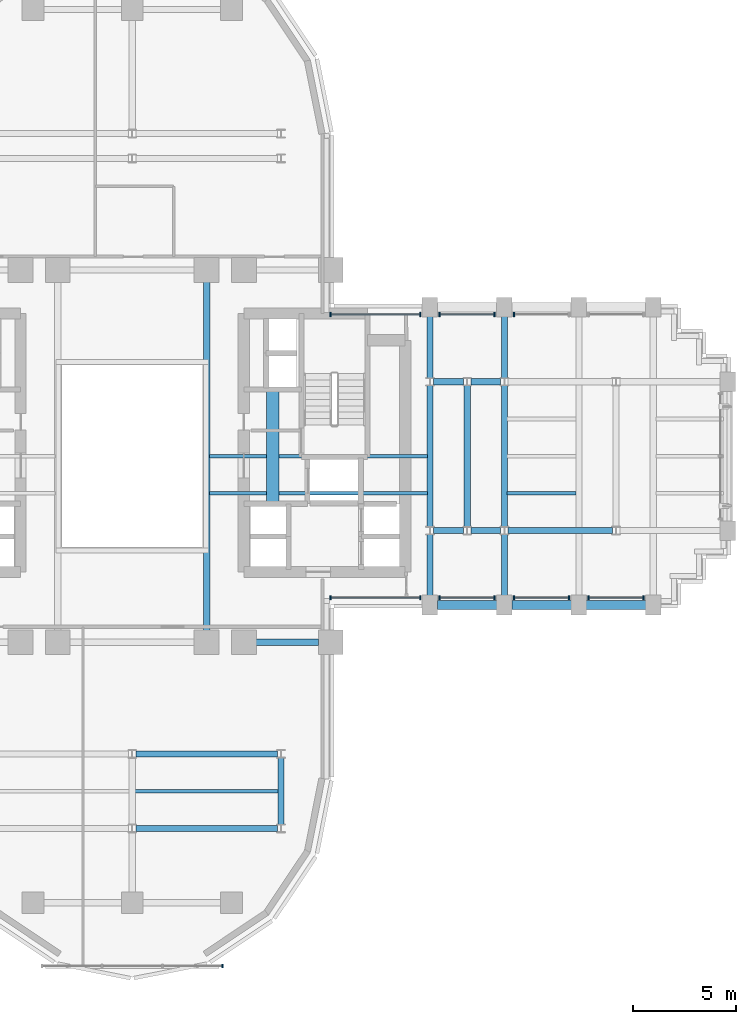
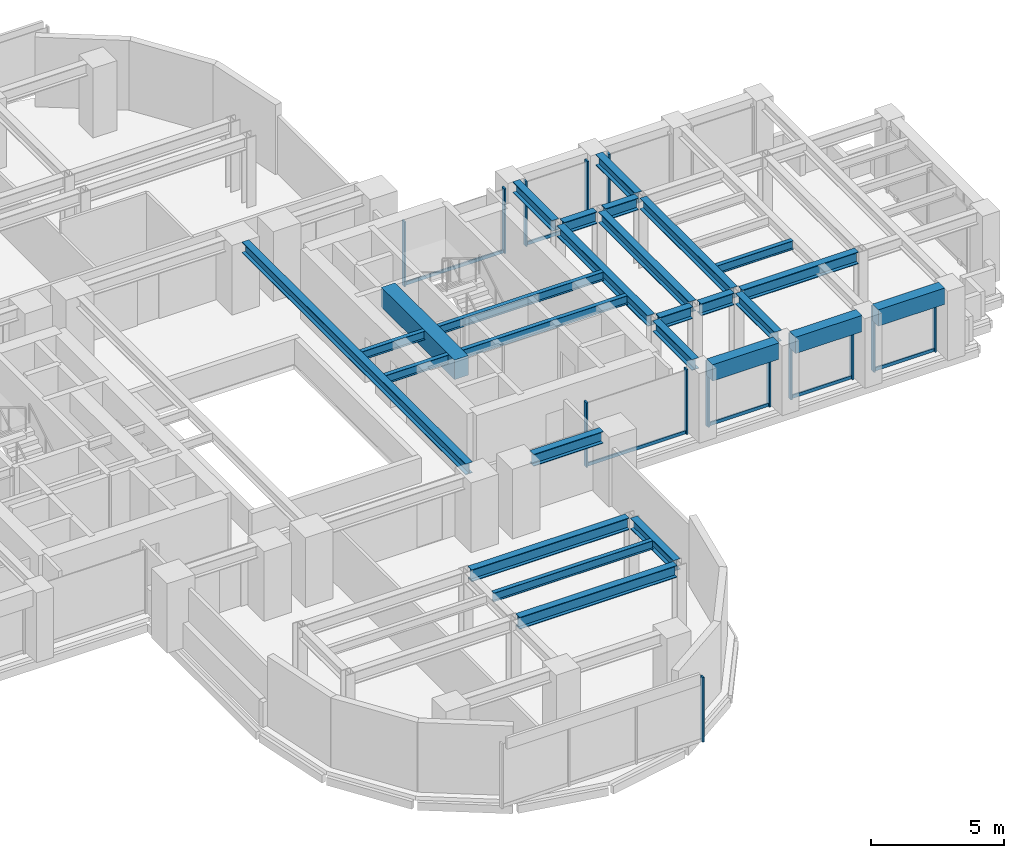
# One storey, part 5 of 16: 25 beams, 20 members, 8 elements without a shape of their own.
"""IFC4 building model written with IfcOpenShell, lengths in metres."""

from ifc_helpers import new_model, si_unit, direction, frame, origin, origin_2d, place, context, subcontext, project, spatial, rectangle, i_section, extrude, source, transform, mapped, material, material_profile, profile_set, type_object, element, aggregate, save


model = new_model("IFC4")

# Units and contexts
model_context = context("Model", 3, precision=1e-05, world=origin(), true_north=direction((0.0, 1.0)))
body_context = subcontext(model_context, "Body", "Model", "MODEL_VIEW")
ifc_project = project(units=[si_unit("LENGTHUNIT", "METRE"), si_unit("AREAUNIT", "SQUARE_METRE"), si_unit("VOLUMEUNIT", "CUBIC_METRE"), si_unit("PLANEANGLEUNIT", "RADIAN"), si_unit("MASSUNIT", "GRAM", prefix="KILO")], contexts=[model_context])

# Site, building, storey
site_placement = place(None, origin())
site = spatial("IfcSite", under=ifc_project, at=site_placement, CompositionType="ELEMENT")
building_placement = place(site_placement, origin())
building = spatial("IfcBuilding", under=site, at=building_placement, Name="Keilestroom Media Tower", CompositionType="ELEMENT")
storey_placement = place(building_placement, frame((0.0, 0.0, 37.39990234375)))
storey = spatial("IfcBuildingStorey", under=building, at=storey_placement, Name="L08", CompositionType="ELEMENT", Elevation=37.39990234375)

# Beams
ifc_material_1 = material(Name="Concrete C70/85", Category="concrete")
ifc_material_profile_1 = material_profile(ifc_material_1, rectangle(XDim=0.60009765625, YDim=0.89990234375, at=origin_2d()), Name="RC 600x900")
ifc_profile_set_1 = profile_set([ifc_material_profile_1], Name="Concrete C70/85")
beam_type_1 = type_object("IfcBeamType", Name="Core-Coupling-Lintel-Beam-RC-600x900", PredefinedType="LINTEL", material=ifc_profile_set_1)
shared_shape_1 = source(origin(), body_context, "Body", "SweptSolid", [
    extrude(rectangle(XDim=0.60009765625, YDim=0.89990234375, at=origin_2d()), origin(), (0.0, 0.0, 1.0), 5.52001953125),
])
beam_1_placement = place(storey_placement, frame((6.800048828125, -2.300048828125, 2.75), z_axis=(0.0, 1.0, 0.0), x_axis=(-1.0, 0.0, 0.0)))
element("IfcBeam", 1, at=beam_1_placement, inside=storey, type_object=beam_type_1, Name="L08 Beam CLB-1 CLB-L08-E", PredefinedType="LINTEL", context=body_context, shape_type="MappedRepresentation", body=[
    mapped(shared_shape_1, transform((0.0, 0.0, 0.0), x_axis=(1.0, 0.0, 0.0), y_axis=(0.0, 1.0, 0.0), z_axis=(0.0, 0.0, 1.0), scale=1.0)),
])
ifc_material_2 = material(Name="Steel S355", Category="steel")
ifc_material_profile_2 = material_profile(ifc_material_2, i_section(OverallWidth=0.300048828125, OverallDepth=0.550048828125, WebThickness=0.012939453125, FlangeThickness=0.029052734375, at=origin_2d()), Name="HEB 550")
ifc_profile_set_2 = profile_set([ifc_material_profile_2], Name="Steel S355")
beam_type_2 = type_object("IfcBeamType", Name="Primary-Structural-Girder-HEB-550", PredefinedType="BEAM", material=ifc_profile_set_2)
shared_shape_2 = source(origin(), body_context, "Body", "SweptSolid", [
    extrude(i_section(OverallWidth=0.300048828125, OverallDepth=0.550048828125, WebThickness=0.012939453125, FlangeThickness=0.029052734375, at=origin_2d()), origin(), (0.0, 0.0, 1.0), 6.836181640625),
])
for number, where, z_axis, x_axis, name in (
    (2, (0.181884765625, -18.0, 2.925048828125), (1.0, 0.0, 0.0), (0.0, 1.0, 0.0), "L08 Beam BG-5 BM-L08-EW-004"),
    (3, (0.181884765625, -14.39990234375, 2.925048828125), (1.0, 0.0, 0.0), (0.0, 1.0, 0.0), "L08 Beam BG-5 BM-L08-EW-006"),
):
    element("IfcBeam", number, at=place(storey_placement, frame(where, z_axis=z_axis, x_axis=x_axis)), inside=storey, type_object=beam_type_2, Name=name, PredefinedType="BEAM", context=body_context, shape_type="MappedRepresentation", body=[
        mapped(shared_shape_2, transform((0.0, 0.0, 0.0), x_axis=(1.0, 0.0, 0.0), y_axis=(0.0, 1.0, 0.0), z_axis=(0.0, 0.0, 1.0), scale=1.0)),
    ])
shared_shape_3 = source(origin(), body_context, "Body", "SweptSolid", [
    extrude(i_section(OverallWidth=0.300048828125, OverallDepth=0.550048828125, WebThickness=0.012939453125, FlangeThickness=0.029052734375, at=origin_2d()), origin(), (0.0, 0.0, 1.0), 3.0400390625),
])
beam_2_placement = place(storey_placement, frame((5.97998046875, -9.0, 2.925048828125), z_axis=(1.0, 0.0, 0.0), x_axis=(0.0, 1.0, 0.0)))
element("IfcBeam", 4, at=beam_2_placement, inside=storey, type_object=beam_type_2, Name="L08 Beam BG-5 BM-L08-EW-011", PredefinedType="BEAM", context=body_context, shape_type="MappedRepresentation", body=[
    mapped(shared_shape_3, transform((0.0, 0.0, 0.0), x_axis=(1.0, 0.0, 0.0), y_axis=(0.0, 1.0, 0.0), z_axis=(0.0, 0.0, 1.0), scale=1.0)),
])
ifc_material_3 = material(Name="Precast concrete C40/50", Category="concrete")
ifc_material_profile_3 = material_profile(ifc_material_3, rectangle(XDim=0.449951171875, YDim=0.75, at=origin_2d()), Name="PC 450x750")
ifc_profile_set_3 = profile_set([ifc_material_profile_3], Name="Precast concrete C40/50")
beam_type_3 = type_object("IfcBeamType", Name="Perimeter-Spandrel-Beam-PC-450x750", PredefinedType="SPANDREL", material=ifc_profile_set_3)
shared_shape_4 = source(origin(), body_context, "Body", "SweptSolid", [
    extrude(rectangle(XDim=0.449951171875, YDim=0.75, at=origin_2d()), origin(), (0.0, 0.0, 1.0), 2.889892578125),
])
beam_3_placement = place(storey_placement, frame((21.955078125, -7.199951171875, 2.8251953125), z_axis=(1.0, 0.0, 0.0), x_axis=(0.0, 1.0, 0.0)))
element("IfcBeam", 5, at=beam_3_placement, inside=storey, type_object=beam_type_3, Name="L08 Beam SPB-1 BM-L08-EW-017", PredefinedType="SPANDREL", context=body_context, shape_type="MappedRepresentation", body=[
    mapped(shared_shape_4, transform((0.0, 0.0, 0.0), x_axis=(1.0, 0.0, 0.0), y_axis=(0.0, 1.0, 0.0), z_axis=(0.0, 0.0, 1.0), scale=1.0)),
])
shared_shape_5 = source(origin(), body_context, "Body", "SweptSolid", [
    extrude(rectangle(XDim=0.449951171875, YDim=0.75, at=origin_2d()), origin(), (0.0, 0.0, 1.0), 2.89013671875),
])
for number, where, z_axis, x_axis, name in (
    (6, (14.7548828125, -7.199951171875, 2.8251953125), (1.0, 0.0, 0.0), (0.0, 1.0, 0.0), "L08 Beam SPB-1 BM-L08-EW-015"),
    (7, (18.35498046875, -7.199951171875, 2.8251953125), (1.0, 0.0, 0.0), (0.0, 1.0, 0.0), "L08 Beam SPB-1 BM-L08-EW-016"),
):
    element("IfcBeam", number, at=place(storey_placement, frame(where, z_axis=z_axis, x_axis=x_axis)), inside=storey, type_object=beam_type_3, Name=name, PredefinedType="SPANDREL", context=body_context, shape_type="MappedRepresentation", body=[
        mapped(shared_shape_5, transform((0.0, 0.0, 0.0), x_axis=(1.0, 0.0, 0.0), y_axis=(0.0, 1.0, 0.0), z_axis=(0.0, 0.0, 1.0), scale=1.0)),
    ])
shared_shape_6 = source(origin(), body_context, "Body", "SweptSolid", [
    extrude(i_section(OverallWidth=0.300048828125, OverallDepth=0.550048828125, WebThickness=0.012939453125, FlangeThickness=0.029052734375, at=origin_2d()), origin(), (0.0, 0.0, 1.0), 5.0361328125),
])
beam_4_placement = place(storey_placement, frame((18.181884765625, -3.60009765625, 2.925048828125), z_axis=(1.0, 0.0, 0.0), x_axis=(0.0, 1.0, 0.0)))
element("IfcBeam", 8, at=beam_4_placement, inside=storey, type_object=beam_type_2, Name="L08 Beam BG-5 BM-L08-EW-024", PredefinedType="BEAM", context=body_context, shape_type="MappedRepresentation", body=[
    mapped(shared_shape_6, transform((0.0, 0.0, 0.0), x_axis=(1.0, 0.0, 0.0), y_axis=(0.0, 1.0, 0.0), z_axis=(0.0, 0.0, 1.0), scale=1.0)),
])
shared_shape_7 = source(origin(), body_context, "Body", "SweptSolid", [
    extrude(i_section(OverallWidth=0.300048828125, OverallDepth=0.550048828125, WebThickness=0.012939453125, FlangeThickness=0.029052734375, at=origin_2d()), origin(), (0.0, 0.0, 1.0), 1.43603515625),
])
for number, where, z_axis, x_axis, name in (
    (9, (14.58203125, -3.60009765625, 2.925048828125), (1.0, 0.0, 0.0), (0.0, 1.0, 0.0), "L08 Beam BG-5 BM-L08-EW-022"),
    (10, (16.382080078125, -3.60009765625, 2.925048828125), (1.0, 0.0, 0.0), (0.0, 1.0, 0.0), "L08 Beam BG-5 BM-L08-EW-023"),
    (11, (14.58203125, 3.60009765625, 2.925048828125), (1.0, 0.0, 0.0), (0.0, 1.0, 0.0), "L08 Beam BG-5 BM-L08-EW-030"),
    (12, (16.382080078125, 3.60009765625, 2.925048828125), (1.0, 0.0, 0.0), (0.0, 1.0, 0.0), "L08 Beam BG-5 BM-L08-EW-031"),
):
    element("IfcBeam", number, at=place(storey_placement, frame(where, z_axis=z_axis, x_axis=x_axis)), inside=storey, type_object=beam_type_2, Name=name, PredefinedType="BEAM", context=body_context, shape_type="MappedRepresentation", body=[
        mapped(shared_shape_7, transform((0.0, 0.0, 0.0), x_axis=(1.0, 0.0, 0.0), y_axis=(0.0, 1.0, 0.0), z_axis=(0.0, 0.0, 1.0), scale=1.0)),
    ])
ifc_material_profile_4 = material_profile(ifc_material_2, i_section(OverallWidth=0.300048828125, OverallDepth=0.5, WebThickness=0.012451171875, FlangeThickness=0.028076171875, at=origin_2d()), Name="HEB 500")
ifc_profile_set_4 = profile_set([ifc_material_profile_4], Name="Steel S355")
beam_type_4 = type_object("IfcBeamType", Name="Primary-Structural-Girder-HEB-500", PredefinedType="BEAM", material=ifc_profile_set_4)
shared_shape_8 = source(origin(), body_context, "Body", "SweptSolid", [
    extrude(i_section(OverallWidth=0.300048828125, OverallDepth=0.5, WebThickness=0.012451171875, FlangeThickness=0.028076171875, at=origin_2d()), origin(), (0.0, 0.0, 1.0), 6.8330078125),
])
for number, where, z_axis, x_axis, name in (
    (13, (14.39990234375, -3.41650390625, 2.9501953125), (0.0, 1.0, 0.0), (-1.0, 0.0, 0.0), "L08 Beam BG-6 BM-L08-NS-077"),
    (14, (16.199951171875, -3.41650390625, 2.9501953125), (0.0, 1.0, 0.0), (-1.0, 0.0, 0.0), "L08 Beam BG-6 BM-L08-NS-079"),
    (15, (18.0, -3.41650390625, 2.9501953125), (0.0, 1.0, 0.0), (-1.0, 0.0, 0.0), "L08 Beam BG-6 BM-L08-NS-081"),
):
    element("IfcBeam", number, at=place(storey_placement, frame(where, z_axis=z_axis, x_axis=x_axis)), inside=storey, type_object=beam_type_4, Name=name, PredefinedType="BEAM", context=body_context, shape_type="MappedRepresentation", body=[
        mapped(shared_shape_8, transform((0.0, 0.0, 0.0), x_axis=(1.0, 0.0, 0.0), y_axis=(0.0, 1.0, 0.0), z_axis=(0.0, 0.0, 1.0), scale=1.0)),
    ])
shared_shape_9 = source(origin(), body_context, "Body", "SweptSolid", [
    extrude(i_section(OverallWidth=0.300048828125, OverallDepth=0.5, WebThickness=0.012451171875, FlangeThickness=0.028076171875, at=origin_2d()), origin(), (0.0, 0.0, 1.0), 2.961669921875),
])
for number, where, z_axis, x_axis, name in (
    (16, (14.39990234375, -6.7451171875, 2.9501953125), (0.0, 1.0, 0.0), (-1.0, 0.0, 0.0), "L08 Beam BG-6 BM-L08-NS-076"),
    (17, (14.39990234375, 3.783447265625, 2.9501953125), (0.0, 1.0, 0.0), (-1.0, 0.0, 0.0), "L08 Beam BG-6 BM-L08-NS-078"),
    (18, (18.0, -6.7451171875, 2.9501953125), (0.0, 1.0, 0.0), (-1.0, 0.0, 0.0), "L08 Beam BG-6 BM-L08-NS-080"),
    (19, (18.0, 3.783447265625, 2.9501953125), (0.0, 1.0, 0.0), (-1.0, 0.0, 0.0), "L08 Beam BG-6 BM-L08-NS-082"),
):
    element("IfcBeam", number, at=place(storey_placement, frame(where, z_axis=z_axis, x_axis=x_axis)), inside=storey, type_object=beam_type_4, Name=name, PredefinedType="BEAM", context=body_context, shape_type="MappedRepresentation", body=[
        mapped(shared_shape_9, transform((0.0, 0.0, 0.0), x_axis=(1.0, 0.0, 0.0), y_axis=(0.0, 1.0, 0.0), z_axis=(0.0, 0.0, 1.0), scale=1.0)),
    ])
shared_shape_10 = source(origin(), body_context, "Body", "SweptSolid", [
    extrude(i_section(OverallWidth=0.300048828125, OverallDepth=0.5, WebThickness=0.012451171875, FlangeThickness=0.028076171875, at=origin_2d()), origin(), (0.0, 0.0, 1.0), 3.23291015625),
])
beam_5_placement = place(storey_placement, frame((7.199951171875, -17.81640625, 2.9501953125), z_axis=(0.0, 1.0, 0.0), x_axis=(-1.0, 0.0, 0.0)))
element("IfcBeam", 20, at=beam_5_placement, inside=storey, type_object=beam_type_4, Name="L08 Beam BG-6 BM-L08-NS-073", PredefinedType="BEAM", context=body_context, shape_type="MappedRepresentation", body=[
    mapped(shared_shape_10, transform((0.0, 0.0, 0.0), x_axis=(1.0, 0.0, 0.0), y_axis=(0.0, 1.0, 0.0), z_axis=(0.0, 0.0, 1.0), scale=1.0)),
])
shared_shape_11 = source(origin(), body_context, "Body", "SweptSolid", [
    extrude(i_section(OverallWidth=0.300048828125, OverallDepth=0.5, WebThickness=0.012451171875, FlangeThickness=0.028076171875, at=origin_2d()), origin(), (0.0, 0.0, 1.0), 16.83984375),
])
beam_6_placement = place(storey_placement, frame((3.60009765625, -8.419921875, 2.9501953125), z_axis=(0.0, 1.0, 0.0), x_axis=(-1.0, 0.0, 0.0)))
element("IfcBeam", 21, at=beam_6_placement, inside=storey, type_object=beam_type_4, Name="L08 Beam BG-6 BM-L08-NS-071", PredefinedType="BEAM", context=body_context, shape_type="MappedRepresentation", body=[
    mapped(shared_shape_11, transform((0.0, 0.0, 0.0), x_axis=(1.0, 0.0, 0.0), y_axis=(0.0, 1.0, 0.0), z_axis=(0.0, 0.0, 1.0), scale=1.0)),
])
ifc_material_profile_5 = material_profile(ifc_material_2, i_section(OverallWidth=0.179931640625, OverallDepth=0.39990234375, WebThickness=0.008544921875, FlangeThickness=0.013427734375, at=origin_2d()), Name="IPE 400")
ifc_profile_set_5 = profile_set([ifc_material_profile_5], Name="Steel S355")
beam_type_5 = type_object("IfcBeamType", Name="Secondary-Floor-Joist-IPE-400", PredefinedType="JOIST", material=ifc_profile_set_5)
shared_shape_12 = source(origin(), body_context, "Body", "SweptSolid", [
    extrude(i_section(OverallWidth=0.179931640625, OverallDepth=0.39990234375, WebThickness=0.008544921875, FlangeThickness=0.013427734375, at=origin_2d()), origin(), (0.0, 0.0, 1.0), 6.940185546875),
])
beam_7_placement = place(storey_placement, frame((0.1298828125, -16.199951171875, 3.0), z_axis=(1.0, 0.0, 0.0), x_axis=(0.0, 1.0, 0.0)))
element("IfcBeam", 22, at=beam_7_placement, inside=storey, type_object=beam_type_5, Name="L08 Beam BJ-4 JST-L08-088", PredefinedType="JOIST", context=body_context, shape_type="MappedRepresentation", body=[
    mapped(shared_shape_12, transform((0.0, 0.0, 0.0), x_axis=(1.0, 0.0, 0.0), y_axis=(0.0, 1.0, 0.0), z_axis=(0.0, 0.0, 1.0), scale=1.0)),
])
shared_shape_13 = source(origin(), body_context, "Body", "SweptSolid", [
    extrude(i_section(OverallWidth=0.179931640625, OverallDepth=0.39990234375, WebThickness=0.008544921875, FlangeThickness=0.013427734375, at=origin_2d()), origin(), (0.0, 0.0, 1.0), 3.340087890625),
])
beam_8_placement = place(storey_placement, frame((18.1298828125, -1.800048828125, 3.0), z_axis=(1.0, 0.0, 0.0), x_axis=(0.0, 1.0, 0.0)))
element("IfcBeam", 23, at=beam_8_placement, inside=storey, type_object=beam_type_5, Name="L08 Beam BJ-4 JST-L08-094", PredefinedType="JOIST", context=body_context, shape_type="MappedRepresentation", body=[
    mapped(shared_shape_13, transform((0.0, 0.0, 0.0), x_axis=(1.0, 0.0, 0.0), y_axis=(0.0, 1.0, 0.0), z_axis=(0.0, 0.0, 1.0), scale=1.0)),
])
shared_shape_14 = source(origin(), body_context, "Body", "SweptSolid", [
    extrude(i_section(OverallWidth=0.179931640625, OverallDepth=0.39990234375, WebThickness=0.008544921875, FlangeThickness=0.013427734375, at=origin_2d()), origin(), (0.0, 0.0, 1.0), 10.5400390625),
])
for number, where, z_axis, x_axis, name in (
    (24, (3.72998046875, -1.800048828125, 3.0), (1.0, 0.0, 0.0), (0.0, 1.0, 0.0), "L08 Beam BJ-4 JST-L08-093"),
    (25, (3.72998046875, 0.0, 3.0), (1.0, 0.0, 0.0), (0.0, 1.0, 0.0), "L08 Beam BJ-4 JST-L08-100"),
):
    element("IfcBeam", number, at=place(storey_placement, frame(where, z_axis=z_axis, x_axis=x_axis)), inside=storey, type_object=beam_type_5, Name=name, PredefinedType="JOIST", context=body_context, shape_type="MappedRepresentation", body=[
        mapped(shared_shape_14, transform((0.0, 0.0, 0.0), x_axis=(1.0, 0.0, 0.0), y_axis=(0.0, 1.0, 0.0), z_axis=(0.0, 0.0, 1.0), scale=1.0)),
    ])

# Curtain wall, members
ifc_material_4 = material(Name="Anodised Aluminium Alloy", Category="aluminium")
curtain_wall_type_1 = type_object("IfcCurtainWallType", Name="Unitised-Curtain-Wall-CW-1", PredefinedType="NOTDEFINED", material=ifc_material_4)
curtain_wall_1_placement = place(storey_placement, origin())
curtain_wall_1 = element("IfcCurtainWall", 26, at=curtain_wall_1_placement, inside=storey, type_object=curtain_wall_type_1, Name="L08 Curtain Wall CW-1 CW-L08-NE-1", PredefinedType="NOTDEFINED")
ifc_material_profile_6 = material_profile(ifc_material_4, rectangle(XDim=0.070068359375, YDim=0.199951171875, at=origin_2d()), Name="ALU MULLION 70x200")
ifc_profile_set_6 = profile_set([ifc_material_profile_6], Name="Anodised Aluminium Alloy")
member_type_1 = type_object("IfcMemberType", Name="Curtain-Wall-Mullion-CW-1", PredefinedType="MULLION", material=ifc_profile_set_6)
shared_shape_15 = source(origin(), body_context, "Body", "SweptSolid", [
    extrude(rectangle(XDim=0.070068359375, YDim=0.199951171875, at=origin_2d()), origin(), (0.0, 0.0, 1.0), 2.97998046875),
])
member_1_placement = place(storey_placement, frame((9.5849609375, 6.85009765625, 0.0), z_axis=(0.0, 0.0, 1.0), x_axis=(1.0, 0.0, 0.0)))
member_1 = element("IfcMember", 27, at=member_1_placement, type_object=member_type_1, Name="CW-1 Mullion 00", PredefinedType="MULLION", context=body_context, shape_type="MappedRepresentation", body=[
    mapped(shared_shape_15, transform((0.0, 0.0, 0.0), x_axis=(1.0, 0.0, 0.0), y_axis=(0.0, 1.0, 0.0), z_axis=(0.0, 0.0, 1.0), scale=1.0)),
])
member_2_placement = place(storey_placement, frame((13.929931640625, 6.85009765625, 0.0), z_axis=(0.0, 0.0, 1.0), x_axis=(1.0, 0.0, 0.0)))
member_2 = element("IfcMember", 28, at=member_2_placement, type_object=member_type_1, Name="CW-1 Mullion 01", PredefinedType="MULLION", context=body_context, shape_type="MappedRepresentation", body=[
    mapped(shared_shape_15, transform((0.0, 0.0, 0.0), x_axis=(1.0, 0.0, 0.0), y_axis=(0.0, 1.0, 0.0), z_axis=(0.0, 0.0, 1.0), scale=1.0)),
])

curtain_wall_2_placement = place(storey_placement, origin())
curtain_wall_2 = element("IfcCurtainWall", 29, at=curtain_wall_2_placement, inside=storey, type_object=curtain_wall_type_1, Name="L08 Curtain Wall CW-1 CW-L08-NE-2", PredefinedType="NOTDEFINED")
member_3_placement = place(storey_placement, frame((14.8701171875, 6.85009765625, 0.0), z_axis=(0.0, 0.0, 1.0), x_axis=(1.0, 0.0, 0.0)))
member_3 = element("IfcMember", 30, at=member_3_placement, type_object=member_type_1, Name="CW-1 Mullion 00", PredefinedType="MULLION", context=body_context, shape_type="MappedRepresentation", body=[
    mapped(shared_shape_15, transform((0.0, 0.0, 0.0), x_axis=(1.0, 0.0, 0.0), y_axis=(0.0, 1.0, 0.0), z_axis=(0.0, 0.0, 1.0), scale=1.0)),
])
member_4_placement = place(storey_placement, frame((17.530029296875, 6.85009765625, 0.0), z_axis=(0.0, 0.0, 1.0), x_axis=(1.0, 0.0, 0.0)))
member_4 = element("IfcMember", 31, at=member_4_placement, type_object=member_type_1, Name="CW-1 Mullion 01", PredefinedType="MULLION", context=body_context, shape_type="MappedRepresentation", body=[
    mapped(shared_shape_15, transform((0.0, 0.0, 0.0), x_axis=(1.0, 0.0, 0.0), y_axis=(0.0, 1.0, 0.0), z_axis=(0.0, 0.0, 1.0), scale=1.0)),
])

# Curtain wall, member
curtain_wall_3_placement = place(storey_placement, origin())
curtain_wall_3 = element("IfcCurtainWall", 32, at=curtain_wall_3_placement, inside=storey, type_object=curtain_wall_type_1, Name="L08 Curtain Wall CW-1 CW-L08-NE-3", PredefinedType="NOTDEFINED")
member_5_placement = place(storey_placement, frame((18.469970703125, 6.85009765625, 0.0), z_axis=(0.0, 0.0, 1.0), x_axis=(1.0, 0.0, 0.0)))
member_5 = element("IfcMember", 33, at=member_5_placement, type_object=member_type_1, Name="CW-1 Mullion 00", PredefinedType="MULLION", context=body_context, shape_type="MappedRepresentation", body=[
    mapped(shared_shape_15, transform((0.0, 0.0, 0.0), x_axis=(1.0, 0.0, 0.0), y_axis=(0.0, 1.0, 0.0), z_axis=(0.0, 0.0, 1.0), scale=1.0)),
])
aggregate(curtain_wall_3, [member_5])

# Curtain wall, members
curtain_wall_4_placement = place(storey_placement, origin())
curtain_wall_4 = element("IfcCurtainWall", 34, at=curtain_wall_4_placement, inside=storey, type_object=curtain_wall_type_1, Name="L08 Curtain Wall CW-1 CW-L08-SE-1", PredefinedType="NOTDEFINED")
member_6_placement = place(storey_placement, frame((9.5849609375, -6.85009765625, 0.0), z_axis=(0.0, 0.0, 1.0), x_axis=(1.0, 0.0, 0.0)))
member_6 = element("IfcMember", 35, at=member_6_placement, type_object=member_type_1, Name="CW-1 Mullion 00", PredefinedType="MULLION", context=body_context, shape_type="MappedRepresentation", body=[
    mapped(shared_shape_15, transform((0.0, 0.0, 0.0), x_axis=(1.0, 0.0, 0.0), y_axis=(0.0, 1.0, 0.0), z_axis=(0.0, 0.0, 1.0), scale=1.0)),
])
member_7_placement = place(storey_placement, frame((13.929931640625, -6.85009765625, 0.0), z_axis=(0.0, 0.0, 1.0), x_axis=(1.0, 0.0, 0.0)))
member_7 = element("IfcMember", 36, at=member_7_placement, type_object=member_type_1, Name="CW-1 Mullion 01", PredefinedType="MULLION", context=body_context, shape_type="MappedRepresentation", body=[
    mapped(shared_shape_15, transform((0.0, 0.0, 0.0), x_axis=(1.0, 0.0, 0.0), y_axis=(0.0, 1.0, 0.0), z_axis=(0.0, 0.0, 1.0), scale=1.0)),
])

curtain_wall_5_placement = place(storey_placement, origin())
curtain_wall_5 = element("IfcCurtainWall", 37, at=curtain_wall_5_placement, inside=storey, type_object=curtain_wall_type_1, Name="L08 Curtain Wall CW-1 CW-L08-SE-2", PredefinedType="NOTDEFINED")
member_8_placement = place(storey_placement, frame((14.8701171875, -6.85009765625, 0.0), z_axis=(0.0, 0.0, 1.0), x_axis=(1.0, 0.0, 0.0)))
member_8 = element("IfcMember", 38, at=member_8_placement, type_object=member_type_1, Name="CW-1 Mullion 00", PredefinedType="MULLION", context=body_context, shape_type="MappedRepresentation", body=[
    mapped(shared_shape_15, transform((0.0, 0.0, 0.0), x_axis=(1.0, 0.0, 0.0), y_axis=(0.0, 1.0, 0.0), z_axis=(0.0, 0.0, 1.0), scale=1.0)),
])
member_9_placement = place(storey_placement, frame((17.530029296875, -6.85009765625, 0.0), z_axis=(0.0, 0.0, 1.0), x_axis=(1.0, 0.0, 0.0)))
member_9 = element("IfcMember", 39, at=member_9_placement, type_object=member_type_1, Name="CW-1 Mullion 01", PredefinedType="MULLION", context=body_context, shape_type="MappedRepresentation", body=[
    mapped(shared_shape_15, transform((0.0, 0.0, 0.0), x_axis=(1.0, 0.0, 0.0), y_axis=(0.0, 1.0, 0.0), z_axis=(0.0, 0.0, 1.0), scale=1.0)),
])

curtain_wall_6_placement = place(storey_placement, origin())
curtain_wall_6 = element("IfcCurtainWall", 40, at=curtain_wall_6_placement, inside=storey, type_object=curtain_wall_type_1, Name="L08 Curtain Wall CW-1 CW-L08-SE-3", PredefinedType="NOTDEFINED")
member_10_placement = place(storey_placement, frame((18.469970703125, -6.85009765625, 0.0), z_axis=(0.0, 0.0, 1.0), x_axis=(1.0, 0.0, 0.0)))
member_10 = element("IfcMember", 41, at=member_10_placement, type_object=member_type_1, Name="CW-1 Mullion 00", PredefinedType="MULLION", context=body_context, shape_type="MappedRepresentation", body=[
    mapped(shared_shape_15, transform((0.0, 0.0, 0.0), x_axis=(1.0, 0.0, 0.0), y_axis=(0.0, 1.0, 0.0), z_axis=(0.0, 0.0, 1.0), scale=1.0)),
])
member_11_placement = place(storey_placement, frame((21.1298828125, -6.85009765625, 0.0), z_axis=(0.0, 0.0, 1.0), x_axis=(1.0, 0.0, 0.0)))
member_11 = element("IfcMember", 42, at=member_11_placement, type_object=member_type_1, Name="CW-1 Mullion 01", PredefinedType="MULLION", context=body_context, shape_type="MappedRepresentation", body=[
    mapped(shared_shape_15, transform((0.0, 0.0, 0.0), x_axis=(1.0, 0.0, 0.0), y_axis=(0.0, 1.0, 0.0), z_axis=(0.0, 0.0, 1.0), scale=1.0)),
])

curtain_wall_7_placement = place(storey_placement, origin())
curtain_wall_7 = element("IfcCurtainWall", 43, at=curtain_wall_7_placement, inside=storey, type_object=curtain_wall_type_1, Name="L08 Curtain Wall CW-1 CW-L08-SE-4", PredefinedType="NOTDEFINED")
member_12_placement = place(storey_placement, frame((22.070068359375, -6.85009765625, 0.0), z_axis=(0.0, 0.0, 1.0), x_axis=(1.0, 0.0, 0.0)))
member_12 = element("IfcMember", 44, at=member_12_placement, type_object=member_type_1, Name="CW-1 Mullion 00", PredefinedType="MULLION", context=body_context, shape_type="MappedRepresentation", body=[
    mapped(shared_shape_15, transform((0.0, 0.0, 0.0), x_axis=(1.0, 0.0, 0.0), y_axis=(0.0, 1.0, 0.0), z_axis=(0.0, 0.0, 1.0), scale=1.0)),
])
member_13_placement = place(storey_placement, frame((24.72998046875, -6.85009765625, 0.0), z_axis=(0.0, 0.0, 1.0), x_axis=(1.0, 0.0, 0.0)))
member_13 = element("IfcMember", 45, at=member_13_placement, type_object=member_type_1, Name="CW-1 Mullion 01", PredefinedType="MULLION", context=body_context, shape_type="MappedRepresentation", body=[
    mapped(shared_shape_15, transform((0.0, 0.0, 0.0), x_axis=(1.0, 0.0, 0.0), y_axis=(0.0, 1.0, 0.0), z_axis=(0.0, 0.0, 1.0), scale=1.0)),
])

# Member
ifc_material_profile_7 = material_profile(ifc_material_4, rectangle(XDim=0.06494140625, YDim=0.14990234375, at=origin_2d()), Name="ALU TRANSOM 65x150")
ifc_profile_set_7 = profile_set([ifc_material_profile_7], Name="Anodised Aluminium Alloy")
member_type_2 = type_object("IfcMemberType", Name="Curtain-Wall-Transom-CW-1", PredefinedType="USERDEFINED", material=ifc_profile_set_7)
shared_shape_16 = source(origin(), body_context, "Body", "SweptSolid", [
    extrude(rectangle(XDim=0.06494140625, YDim=0.14990234375, at=origin_2d()), origin(), (0.0, 0.0, 1.0), 2.593994140625),
])
member_14_placement = place(storey_placement, frame((14.903076171875, 6.85009765625, 0.0751953125), z_axis=(1.0, 0.0, 0.0), x_axis=(0.0, 1.0, 0.0)))
member_14 = element("IfcMember", 46, at=member_14_placement, type_object=member_type_2, Name="CW-1 Transom 00.1", ObjectType="TRANSOM", PredefinedType="USERDEFINED", context=body_context, shape_type="MappedRepresentation", body=[
    mapped(shared_shape_16, transform((0.0, 0.0, 0.0), x_axis=(1.0, 0.0, 0.0), y_axis=(0.0, 1.0, 0.0), z_axis=(0.0, 0.0, 1.0), scale=1.0)),
])

aggregate(curtain_wall_2, [member_3, member_4, member_14])

member_15_placement = place(storey_placement, frame((14.903076171875, -6.85009765625, 0.0751953125), z_axis=(1.0, 0.0, 0.0), x_axis=(0.0, 1.0, 0.0)))
member_15 = element("IfcMember", 47, at=member_15_placement, type_object=member_type_2, Name="CW-1 Transom 00.1", ObjectType="TRANSOM", PredefinedType="USERDEFINED", context=body_context, shape_type="MappedRepresentation", body=[
    mapped(shared_shape_16, transform((0.0, 0.0, 0.0), x_axis=(1.0, 0.0, 0.0), y_axis=(0.0, 1.0, 0.0), z_axis=(0.0, 0.0, 1.0), scale=1.0)),
])

aggregate(curtain_wall_5, [member_8, member_9, member_15])

member_16_placement = place(storey_placement, frame((18.5029296875, -6.85009765625, 0.0751953125), z_axis=(1.0, 0.0, 0.0), x_axis=(0.0, 1.0, 0.0)))
member_16 = element("IfcMember", 48, at=member_16_placement, type_object=member_type_2, Name="CW-1 Transom 00.1", ObjectType="TRANSOM", PredefinedType="USERDEFINED", context=body_context, shape_type="MappedRepresentation", body=[
    mapped(shared_shape_16, transform((0.0, 0.0, 0.0), x_axis=(1.0, 0.0, 0.0), y_axis=(0.0, 1.0, 0.0), z_axis=(0.0, 0.0, 1.0), scale=1.0)),
])

aggregate(curtain_wall_6, [member_10, member_11, member_16])

member_17_placement = place(storey_placement, frame((22.10302734375, -6.85009765625, 0.0751953125), z_axis=(1.0, 0.0, 0.0), x_axis=(0.0, 1.0, 0.0)))
member_17 = element("IfcMember", 49, at=member_17_placement, type_object=member_type_2, Name="CW-1 Transom 00.1", ObjectType="TRANSOM", PredefinedType="USERDEFINED", context=body_context, shape_type="MappedRepresentation", body=[
    mapped(shared_shape_16, transform((0.0, 0.0, 0.0), x_axis=(1.0, 0.0, 0.0), y_axis=(0.0, 1.0, 0.0), z_axis=(0.0, 0.0, 1.0), scale=1.0)),
])

aggregate(curtain_wall_7, [member_12, member_13, member_17])

shared_shape_17 = source(origin(), body_context, "Body", "SweptSolid", [
    extrude(rectangle(XDim=0.06494140625, YDim=0.14990234375, at=origin_2d()), origin(), (0.0, 0.0, 1.0), 4.279052734375),
])
member_18_placement = place(storey_placement, frame((9.617919921875, 6.85009765625, 0.0751953125), z_axis=(1.0, 0.0, 0.0), x_axis=(0.0, 1.0, 0.0)))
member_18 = element("IfcMember", 50, at=member_18_placement, type_object=member_type_2, Name="CW-1 Transom 00.1", ObjectType="TRANSOM", PredefinedType="USERDEFINED", context=body_context, shape_type="MappedRepresentation", body=[
    mapped(shared_shape_17, transform((0.0, 0.0, 0.0), x_axis=(1.0, 0.0, 0.0), y_axis=(0.0, 1.0, 0.0), z_axis=(0.0, 0.0, 1.0), scale=1.0)),
])

aggregate(curtain_wall_1, [member_1, member_2, member_18])

member_19_placement = place(storey_placement, frame((9.617919921875, -6.85009765625, 0.0751953125), z_axis=(1.0, 0.0, 0.0), x_axis=(0.0, 1.0, 0.0)))
member_19 = element("IfcMember", 51, at=member_19_placement, type_object=member_type_2, Name="CW-1 Transom 00.1", ObjectType="TRANSOM", PredefinedType="USERDEFINED", context=body_context, shape_type="MappedRepresentation", body=[
    mapped(shared_shape_17, transform((0.0, 0.0, 0.0), x_axis=(1.0, 0.0, 0.0), y_axis=(0.0, 1.0, 0.0), z_axis=(0.0, 0.0, 1.0), scale=1.0)),
])

aggregate(curtain_wall_4, [member_6, member_7, member_19])

# Curtain wall, member
curtain_wall_type_2 = type_object("IfcCurtainWallType", Name="Unitised-Curtain-Wall-CW-6", PredefinedType="NOTDEFINED", material=ifc_material_4)
curtain_wall_8_placement = place(storey_placement, origin())
curtain_wall_8 = element("IfcCurtainWall", 52, at=curtain_wall_8_placement, inside=storey, type_object=curtain_wall_type_2, Name="L08 Curtain Wall CW-6 CW-L08-LS-1", PredefinedType="NOTDEFINED")
ifc_material_profile_8 = material_profile(ifc_material_4, rectangle(XDim=0.06494140625, YDim=0.179931640625, at=origin_2d()), Name="ALU MULLION 65x180")
ifc_profile_set_8 = profile_set([ifc_material_profile_8], Name="Anodised Aluminium Alloy")
member_type_3 = type_object("IfcMemberType", Name="Curtain-Wall-Mullion-CW-6", PredefinedType="MULLION", material=ifc_profile_set_8)
shared_shape_18 = source(origin(), body_context, "Body", "SweptSolid", [
    extrude(rectangle(XDim=0.06494140625, YDim=0.179931640625, at=origin_2d()), origin(), (0.0, 0.0, 1.0), 2.97998046875),
])
member_20_placement = place(storey_placement, frame((4.367431640625, -24.64990234375, 0.0), z_axis=(0.0, 0.0, 1.0), x_axis=(1.0, 0.0, 0.0)))
member_20 = element("IfcMember", 53, at=member_20_placement, type_object=member_type_3, Name="CW-6 Mullion 03", PredefinedType="MULLION", context=body_context, shape_type="MappedRepresentation", body=[
    mapped(shared_shape_18, transform((0.0, 0.0, 0.0), x_axis=(1.0, 0.0, 0.0), y_axis=(0.0, 1.0, 0.0), z_axis=(0.0, 0.0, 1.0), scale=1.0)),
])
aggregate(curtain_wall_8, [member_20])

save(model, "model.ifc")
